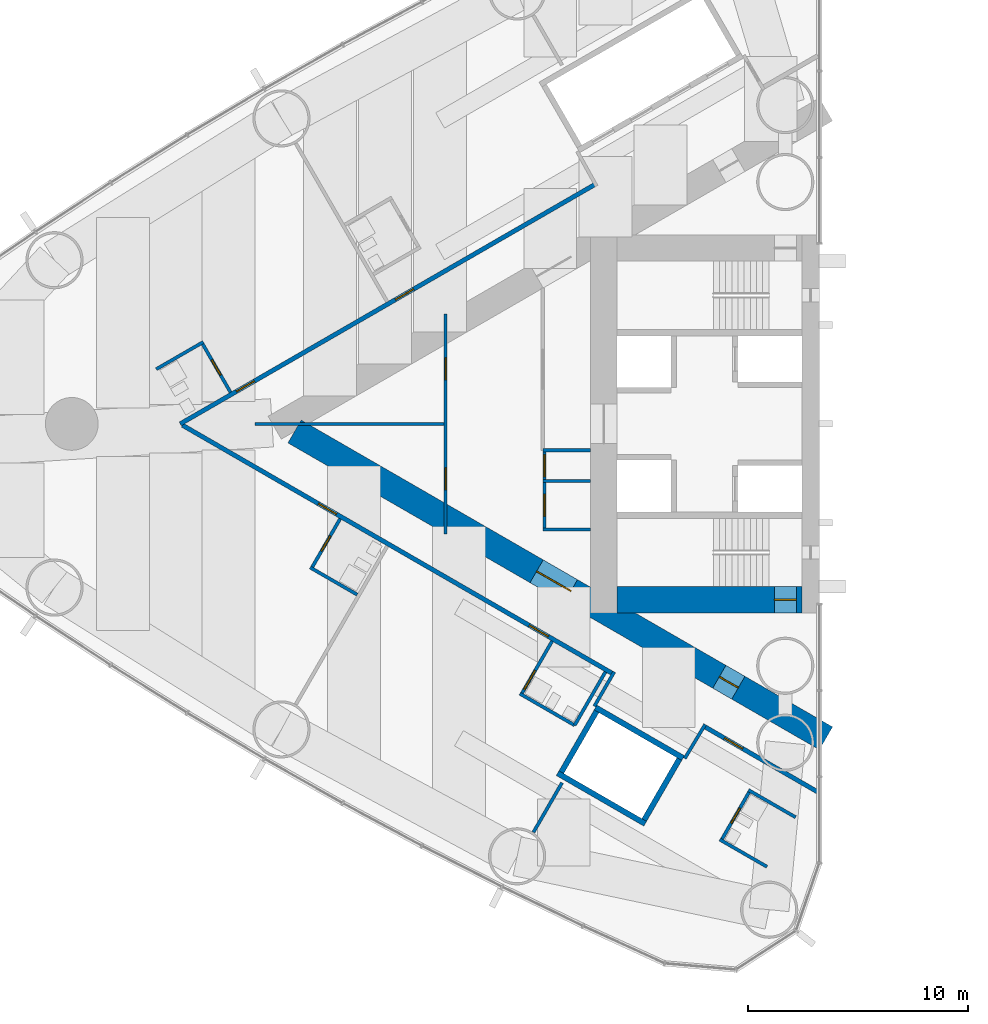
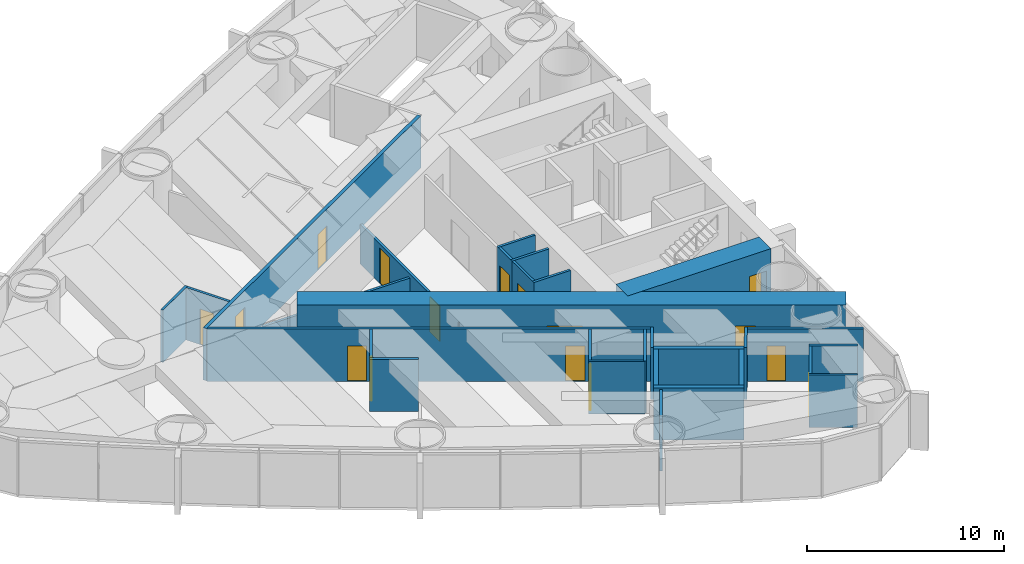
# One storey, part 11 of 18: 29 walls, 16 doors, 16 openings.
"""IFC4 building model written with IfcOpenShell, lengths in metres."""

from ifc_helpers import new_model, si_unit, direction, frame, frame_2d, origin, place, context, subcontext, project, spatial, rectangle, extrude, material, layer, layer_set, type_object, element, fill, save


model = new_model("IFC4")

# Units and contexts
model_context = context("Model", 3, precision=1e-05, world=origin(), true_north=direction((0.0, 1.0)))
body_context = subcontext(model_context, "Body", "Model", "MODEL_VIEW")
ifc_project = project(units=[si_unit("LENGTHUNIT", "METRE"), si_unit("AREAUNIT", "SQUARE_METRE"), si_unit("VOLUMEUNIT", "CUBIC_METRE"), si_unit("PLANEANGLEUNIT", "RADIAN"), si_unit("MASSUNIT", "GRAM", prefix="KILO")], contexts=[model_context])

# Site, building, storey
site_placement = place(None, origin())
site = spatial("IfcSite", under=ifc_project, at=site_placement, CompositionType="ELEMENT")
building_placement = place(site_placement, origin())
building = spatial("IfcBuilding", under=site, at=building_placement, Name="Lancet Gate Hotel", CompositionType="ELEMENT")
storey_placement = place(building_placement, frame((0.0, 0.0, 94.10009765625)))
storey = spatial("IfcBuildingStorey", under=building, at=storey_placement, Name="L24", CompositionType="ELEMENT", Elevation=94.10009765625)

# Wall
ifc_material_1 = material(Name="Moisture resistant board partition")
ifc_layer_1 = layer(ifc_material_1, 0.14990234375)
ifc_layer_set_1 = layer_set([ifc_layer_1], Name="Bathroom wall 150")
wall_type_1 = type_object("IfcWallType", Name="Bathroom wall 150", PredefinedType="PARTITIONING", material=ifc_layer_set_1)
wall_1_placement = place(storey_placement, frame((-55.51513671875, 3.725830078125, 0.0), z_axis=(0.0, 0.0, 1.0), x_axis=(-0.866006523861, -0.500032699561, 0.0)))
element("IfcWall", 1, at=wall_1_placement, inside=storey, type_object=wall_type_1, Name="T1 bathroom wall 150 L24", PredefinedType="PARTITIONING", context=body_context, shape_type="SweptSolid", body=[
    extrude(rectangle(XDim=2.474853515625, YDim=0.14990234375, at=frame_2d((1.2373046875, 0.0))), origin(), (0.0, 0.0, 1.0), 3.25),
])

# Wall, opening, door
wall_2_placement = place(storey_placement, frame((-54.280029296875, 1.4365234375, 0.0), z_axis=(0.0, 0.0, 1.0), x_axis=(-0.500006934395, 0.866021400173, 0.0)))
wall_2 = element("IfcWall", 2, at=wall_2_placement, inside=storey, type_object=wall_type_1, Name="T1 bathroom wall 150 L24", PredefinedType="PARTITIONING", context=body_context, shape_type="SweptSolid", body=[
    extrude(rectangle(XDim=2.60009765625, YDim=0.14990234375, at=frame_2d((1.300048828125, 0.0))), origin(), (0.0, 0.0, 1.0), 3.25),
])
opening_1_placement = place(wall_2_placement, frame((0.89990234375, 0.0, 0.0)))
opening_1 = element("IfcOpeningElement", 3, at=opening_1_placement, cuts=wall_2, Name="Opening 2403-B", PredefinedType="OPENING", context=body_context, shape_type="SweptSolid", body=[
    extrude(rectangle(XDim=0.800048828125, YDim=2.199951171875, at=frame_2d((0.39990234375, 1.10009765625))), frame((0.0, 0.0849609375, 0.0), z_axis=(0.0, -1.0, 0.0), x_axis=(1.0, 0.0, 0.0)), (0.0, 0.0, 1.0), 0.169921875),
])
ifc_material_2 = material(Name="Timber door set", Category="wood")
door_type_1 = type_object("IfcDoorType", Name="Bathroom door 800", OperationType="SINGLE_SWING_RIGHT", PredefinedType="DOOR", material=ifc_material_2)
door_1_placement = place(opening_1_placement, origin())
door_1 = element("IfcDoor", 4, at=door_1_placement, inside=storey, type_object=door_type_1, Name="2403-B", OperationType="SINGLE_SWING_RIGHT", OverallHeight=2.199951171875, OverallWidth=0.800048828125, PredefinedType="DOOR", context=body_context, shape_type="SweptSolid", body=[
    extrude(rectangle(XDim=0.800048828125, YDim=2.199951171875, at=frame_2d((0.39990234375, 1.10009765625))), frame((0.0, 0.02490234375, 0.0), z_axis=(0.0, -1.0, 0.0), x_axis=(1.0, 0.0, 0.0)), (0.0, 0.0, 1.0), 0.050048828125),
])
fill(opening_1, door_1)

# Wall
wall_3_placement = place(storey_placement, frame((-48.51611328125, -7.7666015625, 0.0), z_axis=(0.0, 0.0, 1.0), x_axis=(-0.866031185235, 0.4999899861, 0.0)))
element("IfcWall", 5, at=wall_3_placement, inside=storey, type_object=wall_type_1, Name="T1 bathroom wall 150 L24", PredefinedType="PARTITIONING", context=body_context, shape_type="SweptSolid", body=[
    extrude(rectangle(XDim=2.47509765625, YDim=0.14990234375, at=frame_2d((1.237548828125, 0.0))), origin(), (0.0, 0.0, 1.0), 3.25),
])

# Wall, opening, door
wall_4_placement = place(storey_placement, frame((-49.294677734375, -4.31494140625, 0.0), z_axis=(0.0, 0.0, 1.0), x_axis=(-0.499936506574, -0.866062058628, 0.0)))
wall_4 = element("IfcWall", 6, at=wall_4_placement, inside=storey, type_object=wall_type_1, Name="T1 bathroom wall 150 L24", PredefinedType="PARTITIONING", context=body_context, shape_type="SweptSolid", body=[
    extrude(rectangle(XDim=2.599853515625, YDim=0.14990234375, at=frame_2d((1.2998046875, 0.0))), origin(), (0.0, 0.0, 1.0), 3.25),
])
opening_2_placement = place(wall_4_placement, frame((0.89990234375, 0.0, 0.0)))
opening_2 = element("IfcOpeningElement", 7, at=opening_2_placement, cuts=wall_4, Name="Opening 2405-B", PredefinedType="OPENING", context=body_context, shape_type="SweptSolid", body=[
    extrude(rectangle(XDim=0.800048828125, YDim=2.199951171875, at=frame_2d((0.39990234375, 1.10009765625))), frame((0.0, 0.0849609375, 0.0), z_axis=(0.0, -1.0, 0.0), x_axis=(1.0, 0.0, 0.0)), (0.0, 0.0, 1.0), 0.169921875),
])
door_2_placement = place(opening_2_placement, origin())
door_2 = element("IfcDoor", 8, at=door_2_placement, inside=storey, type_object=door_type_1, Name="2405-B", OperationType="SINGLE_SWING_RIGHT", OverallHeight=2.199951171875, OverallWidth=0.800048828125, PredefinedType="DOOR", context=body_context, shape_type="SweptSolid", body=[
    extrude(rectangle(XDim=0.800048828125, YDim=2.199951171875, at=frame_2d((0.39990234375, 1.10009765625))), frame((0.0, 0.02490234375, 0.0), z_axis=(0.0, -1.0, 0.0), x_axis=(1.0, 0.0, 0.0)), (0.0, 0.0, 1.0), 0.050048828125),
])
fill(opening_2, door_2)

# Wall
wall_5_placement = place(storey_placement, frame((-38.630126953125, -13.705322265625, 0.0), z_axis=(0.0, 0.0, 1.0), x_axis=(-0.866018712932, 0.500011588718, 0.0)))
element("IfcWall", 9, at=wall_5_placement, inside=storey, type_object=wall_type_1, Name="T1 bathroom wall 150 L24", PredefinedType="PARTITIONING", context=body_context, shape_type="SweptSolid", body=[
    extrude(rectangle(XDim=2.875, YDim=0.14990234375, at=frame_2d((1.4375, 0.0))), origin(), (0.0, 0.0, 1.0), 3.25),
])

# Wall, opening, door
wall_6_placement = place(storey_placement, frame((-39.65478515625, -9.88037109375, 0.0), z_axis=(0.0, 0.0, 1.0), x_axis=(-0.500049511043, -0.865996816683, 0.0)))
wall_6 = element("IfcWall", 10, at=wall_6_placement, inside=storey, type_object=wall_type_1, Name="T1 bathroom wall 150 L24", PredefinedType="PARTITIONING", context=body_context, shape_type="SweptSolid", body=[
    extrude(rectangle(XDim=2.800048828125, YDim=0.14990234375, at=frame_2d((1.39990234375, 0.0))), origin(), (0.0, 0.0, 1.0), 3.25),
])
opening_3_placement = place(wall_6_placement, frame((1.550048828125, 0.0, 0.0)))
opening_3 = element("IfcOpeningElement", 11, at=opening_3_placement, cuts=wall_6, Name="Opening 2407-B", PredefinedType="OPENING", context=body_context, shape_type="SweptSolid", body=[
    extrude(rectangle(XDim=1.0, YDim=2.199951171875, at=frame_2d((0.5, 1.10009765625))), frame((0.0, 0.0849609375, 0.0), z_axis=(0.0, -1.0, 0.0), x_axis=(1.0, 0.0, 0.0)), (0.0, 0.0, 1.0), 0.169921875),
])
ifc_material_3 = material(Name="Timber door set", Category="wood")
door_type_2 = type_object("IfcDoorType", Name="Accessible en-suite door 1000", OperationType="SINGLE_SWING_RIGHT", PredefinedType="DOOR", material=ifc_material_3)
door_3_placement = place(opening_3_placement, origin())
door_3 = element("IfcDoor", 12, at=door_3_placement, inside=storey, type_object=door_type_2, Name="2407-B", OperationType="SINGLE_SWING_RIGHT", OverallHeight=2.199951171875, OverallWidth=1.0, PredefinedType="DOOR", context=body_context, shape_type="SweptSolid", body=[
    extrude(rectangle(XDim=1.0, YDim=2.199951171875, at=frame_2d((0.5, 1.10009765625))), frame((0.0, 0.02490234375, 0.0), z_axis=(0.0, -1.0, 0.0), x_axis=(1.0, 0.0, 0.0)), (0.0, 0.0, 1.0), 0.050048828125),
])
fill(opening_3, door_3)

# Walls
wall_7_placement = place(storey_placement, frame((-37.22998046875, -11.280517578125, 0.0), z_axis=(0.0, 0.0, 1.0), x_axis=(-0.500049511043, -0.865996816683, 0.0)))
element("IfcWall", 13, at=wall_7_placement, inside=storey, type_object=wall_type_1, Name="T1 bathroom wall 150 L24", PredefinedType="PARTITIONING", context=body_context, shape_type="SweptSolid", body=[
    extrude(rectangle(XDim=2.800048828125, YDim=0.14990234375, at=frame_2d((1.39990234375, 0.0))), origin(), (0.0, 0.0, 1.0), 3.25),
])
wall_8_placement = place(storey_placement, frame((-29.8818359375, -20.1416015625, 0.0), z_axis=(0.0, 0.0, 1.0), x_axis=(-0.866031185235, 0.4999899861, 0.0)))
element("IfcWall", 14, at=wall_8_placement, inside=storey, type_object=wall_type_1, Name="T1 bathroom wall 150 L24", PredefinedType="PARTITIONING", context=body_context, shape_type="SweptSolid", body=[
    extrude(rectangle(XDim=2.47509765625, YDim=0.14990234375, at=frame_2d((1.237548828125, 0.0))), origin(), (0.0, 0.0, 1.0), 3.25),
])

# Wall, opening, door
wall_9_placement = place(storey_placement, frame((-30.660400390625, -16.68994140625, 0.0), z_axis=(0.0, 0.0, 1.0), x_axis=(-0.499936506574, -0.866062058628, 0.0)))
wall_9 = element("IfcWall", 15, at=wall_9_placement, inside=storey, type_object=wall_type_1, Name="T1 bathroom wall 150 L24", PredefinedType="PARTITIONING", context=body_context, shape_type="SweptSolid", body=[
    extrude(rectangle(XDim=2.599853515625, YDim=0.14990234375, at=frame_2d((1.2998046875, 0.0))), origin(), (0.0, 0.0, 1.0), 3.25),
])
opening_4_placement = place(wall_9_placement, frame((0.89990234375, 0.0, 0.0)))
opening_4 = element("IfcOpeningElement", 16, at=opening_4_placement, cuts=wall_9, Name="Opening 2408-B", PredefinedType="OPENING", context=body_context, shape_type="SweptSolid", body=[
    extrude(rectangle(XDim=0.800048828125, YDim=2.199951171875, at=frame_2d((0.39990234375, 1.10009765625))), frame((0.0, 0.0849609375, 0.0), z_axis=(0.0, -1.0, 0.0), x_axis=(1.0, 0.0, 0.0)), (0.0, 0.0, 1.0), 0.169921875),
])
door_4_placement = place(opening_4_placement, origin())
door_4 = element("IfcDoor", 17, at=door_4_placement, inside=storey, type_object=door_type_1, Name="2408-B", OperationType="SINGLE_SWING_RIGHT", OverallHeight=2.199951171875, OverallWidth=0.800048828125, PredefinedType="DOOR", context=body_context, shape_type="SweptSolid", body=[
    extrude(rectangle(XDim=0.800048828125, YDim=2.199951171875, at=frame_2d((0.39990234375, 1.10009765625))), frame((0.0, 0.02490234375, 0.0), z_axis=(0.0, -1.0, 0.0), x_axis=(1.0, 0.0, 0.0)), (0.0, 0.0, 1.0), 0.050048828125),
])
fill(opening_4, door_4)

# Wall
wall_10_placement = place(storey_placement, frame((-28.581787109375, -17.889892578125, 0.0), z_axis=(0.0, 0.0, 1.0), x_axis=(-0.866073894602, 0.499916002032, 0.0)))
element("IfcWall", 18, at=wall_10_placement, inside=storey, type_object=wall_type_1, Name="T1 bathroom wall 150 L24", PredefinedType="PARTITIONING", context=body_context, shape_type="SweptSolid", body=[
    extrude(rectangle(XDim=2.47509765625, YDim=0.14990234375, at=frame_2d((1.237548828125, 0.0))), origin(), (0.0, 0.0, 1.0), 3.25),
])

# Wall, openings, doors
ifc_material_4 = material(Name="Concrete C70/85", Category="concrete")
ifc_layer_2 = layer(ifc_material_4, 1.199951171875)
ifc_layer_set_2 = layer_set([ifc_layer_2], Name="Buttress wall 1200")
wall_type_2 = type_object("IfcWallType", Name="Buttress wall 1200", PredefinedType="SHEAR", material=ifc_layer_set_2)
wall_11_placement = place(storey_placement, frame((-27.199951171875, -14.300048828125, 0.0), z_axis=(0.0, 0.0, 1.0), x_axis=(-0.866024021859, 0.500002393557, 0.0)))
wall_11 = element("IfcWall", 19, at=wall_11_placement, inside=storey, type_object=wall_type_2, Name="T1 buttress wall N L24", PredefinedType="SHEAR", context=body_context, shape_type="SweptSolid", body=[
    extrude(rectangle(XDim=27.906982421875, YDim=1.199951171875, at=frame_2d((13.95361328125, 0.0))), origin(), (0.0, 0.0, 1.0), 3.5),
])
opening_5_placement = place(wall_11_placement, frame((4.60009765625, 0.0, 0.0)))
opening_5 = element("IfcOpeningElement", 20, at=opening_5_placement, cuts=wall_11, Name="Opening T1-L24-LN", PredefinedType="OPENING", context=body_context, shape_type="SweptSolid", body=[
    extrude(rectangle(XDim=1.0, YDim=2.199951171875, at=frame_2d((0.5, 1.10009765625))), frame((0.0, 0.60986328125, 0.0), z_axis=(0.0, -1.0, 0.0), x_axis=(1.0, 0.0, 0.0)), (0.0, 0.0, 1.0), 1.219970703125),
])
opening_6_placement = place(wall_11_placement, frame((13.39453125, 0.0, 0.0)))
opening_6 = element("IfcOpeningElement", 21, at=opening_6_placement, cuts=wall_11, Name="Opening T1-L24-LHN", PredefinedType="OPENING", context=body_context, shape_type="SweptSolid", body=[
    extrude(rectangle(XDim=1.800048828125, YDim=2.199951171875, at=frame_2d((0.89990234375, 1.10009765625))), frame((0.0, 0.60986328125, 0.0), z_axis=(0.0, -1.0, 0.0), x_axis=(1.0, 0.0, 0.0)), (0.0, 0.0, 1.0), 1.219970703125),
])
ifc_material_5 = material(Name="Timber door set", Category="wood")
door_type_3 = type_object("IfcDoorType", Name="Lobby double door 1800", OperationType="DOUBLE_DOOR_SINGLE_SWING", PredefinedType="DOOR", material=ifc_material_5)
door_5_placement = place(opening_6_placement, origin())
door_5 = element("IfcDoor", 22, at=door_5_placement, inside=storey, type_object=door_type_3, Name="T1-L24-LHN", OperationType="DOUBLE_DOOR_SINGLE_SWING", OverallHeight=2.199951171875, OverallWidth=1.800048828125, PredefinedType="DOOR", context=body_context, shape_type="SweptSolid", body=[
    extrude(rectangle(XDim=1.800048828125, YDim=2.199951171875, at=frame_2d((0.89990234375, 1.10009765625))), frame((0.0, 0.02490234375, 0.0), z_axis=(0.0, -1.0, 0.0), x_axis=(1.0, 0.0, 0.0)), (0.0, 0.0, 1.0), 0.050048828125),
])
fill(opening_6, door_5)
ifc_material_6 = material(Name="Timber door set", Category="wood")
door_type_4 = type_object("IfcDoorType", Name="Stair lobby door 1000", OperationType="SINGLE_SWING_LEFT", PredefinedType="DOOR", material=ifc_material_6)
door_6_placement = place(opening_5_placement, origin())
door_6 = element("IfcDoor", 23, at=door_6_placement, inside=storey, type_object=door_type_4, Name="T1-L24-LN", OperationType="SINGLE_SWING_LEFT", OverallHeight=2.199951171875, OverallWidth=1.0, PredefinedType="DOOR", context=body_context, shape_type="SweptSolid", body=[
    extrude(rectangle(XDim=1.0, YDim=2.199951171875, at=frame_2d((0.5, 1.10009765625))), frame((0.0, 0.02490234375, 0.0), z_axis=(0.0, -1.0, 0.0), x_axis=(1.0, 0.0, 0.0)), (0.0, 0.0, 1.0), 0.050048828125),
])
fill(opening_5, door_6)

# Wall, opening, door
ifc_material_7 = material(Name="Concrete C70/85", Category="concrete")
ifc_layer_3 = layer(ifc_material_7, 1.199951171875)
ifc_layer_set_3 = layer_set([ifc_layer_3], Name="Core wall 1200")
wall_type_3 = type_object("IfcWallType", Name="Core wall 1200", PredefinedType="SHEAR", material=ifc_layer_set_3)
wall_12_placement = place(storey_placement, frame((-28.300048828125, -8.0, 0.0), z_axis=(0.0, 0.0, 1.0), x_axis=(-1.0, 0.0, 0.0)))
wall_12 = element("IfcWall", 24, at=wall_12_placement, inside=storey, type_object=wall_type_3, Name="T1 core wall side-N L24", PredefinedType="SHEAR", context=body_context, shape_type="SweptSolid", body=[
    extrude(rectangle(XDim=8.39990234375, YDim=1.199951171875, at=frame_2d((4.199951171875, 0.0))), origin(), (0.0, 0.0, 1.0), 3.5),
])
opening_7_placement = place(wall_12_placement, frame((0.25, 0.0, 0.0)))
opening_7 = element("IfcOpeningElement", 25, at=opening_7_placement, cuts=wall_12, Name="Opening T1-L24-ST2", PredefinedType="OPENING", context=body_context, shape_type="SweptSolid", body=[
    extrude(rectangle(XDim=1.0, YDim=2.199951171875, at=frame_2d((0.5, 1.10009765625))), frame((0.0, 0.60986328125, 0.0), z_axis=(0.0, -1.0, 0.0), x_axis=(1.0, 0.0, 0.0)), (0.0, 0.0, 1.0), 1.219970703125),
])
ifc_material_8 = material(Name="Timber door set", Category="wood")
door_type_5 = type_object("IfcDoorType", Name="Stair door 1000", OperationType="SINGLE_SWING_RIGHT", PredefinedType="DOOR", material=ifc_material_8)
door_7_placement = place(opening_7_placement, origin())
door_7 = element("IfcDoor", 26, at=door_7_placement, inside=storey, type_object=door_type_5, Name="T1-L24-ST2", OperationType="SINGLE_SWING_RIGHT", OverallHeight=2.199951171875, OverallWidth=1.0, PredefinedType="DOOR", context=body_context, shape_type="SweptSolid", body=[
    extrude(rectangle(XDim=1.0, YDim=2.199951171875, at=frame_2d((0.5, 1.10009765625))), frame((0.0, 0.02490234375, 0.0), z_axis=(0.0, -1.0, 0.0), x_axis=(1.0, 0.0, 0.0)), (0.0, 0.0, 1.0), 0.050048828125),
])
fill(opening_7, door_7)

# Wall, openings, doors
ifc_material_9 = material(Name="Gypsum board partition")
ifc_layer_4 = layer(ifc_material_9, 0.199951171875)
ifc_layer_set_4 = layer_set([ifc_layer_4], Name="Corridor wall 200")
wall_type_4 = type_object("IfcWallType", Name="Corridor wall 200", PredefinedType="PARTITIONING", material=ifc_layer_set_4)
wall_13_placement = place(storey_placement, frame((-37.699951171875, 10.8935546875, 0.0), z_axis=(0.0, 0.0, 1.0), x_axis=(-0.866027905338, -0.499995667157, 0.0)))
wall_13 = element("IfcWall", 27, at=wall_13_placement, inside=storey, type_object=wall_type_4, Name="T1 corridor wall 200 L24", PredefinedType="PARTITIONING", context=body_context, shape_type="SweptSolid", body=[
    extrude(rectangle(XDim=21.787353515625, YDim=0.199951171875, at=frame_2d((10.8935546875, 0.0))), origin(), (0.0, 0.0, 1.0), 3.25),
])
opening_8_placement = place(wall_13_placement, frame((17.88720703125, 0.0, 0.0)))
opening_8 = element("IfcOpeningElement", 28, at=opening_8_placement, cuts=wall_13, Name="Opening 2403-E", PredefinedType="OPENING", context=body_context, shape_type="SweptSolid", body=[
    extrude(rectangle(XDim=0.949951171875, YDim=2.199951171875, at=frame_2d((0.47509765625, 1.10009765625))), frame((0.0, 0.10986328125, 0.0), z_axis=(0.0, -1.0, 0.0), x_axis=(1.0, 0.0, 0.0)), (0.0, 0.0, 1.0), 0.219970703125),
])
opening_9_placement = place(wall_13_placement, frame((9.530517578125, 0.0, 0.0)))
opening_9 = element("IfcOpeningElement", 29, at=opening_9_placement, cuts=wall_13, Name="Opening 2402-E", PredefinedType="OPENING", context=body_context, shape_type="SweptSolid", body=[
    extrude(rectangle(XDim=0.949951171875, YDim=2.199951171875, at=frame_2d((0.47509765625, 1.10009765625))), frame((0.0, 0.10986328125, 0.0), z_axis=(0.0, -1.0, 0.0), x_axis=(1.0, 0.0, 0.0)), (0.0, 0.0, 1.0), 0.219970703125),
])
ifc_material_10 = material(Name="Timber door set", Category="wood")
door_type_6 = type_object("IfcDoorType", Name="Guest room entry door 950", OperationType="SINGLE_SWING_LEFT", PredefinedType="DOOR", material=ifc_material_10)
door_8_placement = place(opening_8_placement, origin())
door_8 = element("IfcDoor", 30, at=door_8_placement, inside=storey, type_object=door_type_6, Name="2403-E", OperationType="SINGLE_SWING_LEFT", OverallHeight=2.199951171875, OverallWidth=0.949951171875, PredefinedType="DOOR", context=body_context, shape_type="SweptSolid", body=[
    extrude(rectangle(XDim=0.949951171875, YDim=2.199951171875, at=frame_2d((0.47509765625, 1.10009765625))), frame((0.0, 0.02490234375, 0.0), z_axis=(0.0, -1.0, 0.0), x_axis=(1.0, 0.0, 0.0)), (0.0, 0.0, 1.0), 0.050048828125),
])
fill(opening_8, door_8)
door_9_placement = place(opening_9_placement, origin())
door_9 = element("IfcDoor", 31, at=door_9_placement, inside=storey, type_object=door_type_6, Name="2402-E", OperationType="SINGLE_SWING_LEFT", OverallHeight=2.199951171875, OverallWidth=0.949951171875, PredefinedType="DOOR", context=body_context, shape_type="SweptSolid", body=[
    extrude(rectangle(XDim=0.949951171875, YDim=2.199951171875, at=frame_2d((0.47509765625, 1.10009765625))), frame((0.0, 0.02490234375, 0.0), z_axis=(0.0, -1.0, 0.0), x_axis=(1.0, 0.0, 0.0)), (0.0, 0.0, 1.0), 0.050048828125),
])
fill(opening_9, door_9)

# Wall, opening, door
wall_14_placement = place(storey_placement, frame((-27.572021484375, -16.740966796875, 0.0), z_axis=(0.0, 0.0, 1.0), x_axis=(-0.866024464444, 0.500001626982, 0.0)))
wall_14 = element("IfcWall", 32, at=wall_14_placement, inside=storey, type_object=wall_type_4, Name="T1 corridor wall 200 L24", PredefinedType="PARTITIONING", context=body_context, shape_type="SweptSolid", body=[
    extrude(rectangle(XDim=5.955078125, YDim=0.199951171875, at=frame_2d((2.9775390625, 0.0))), origin(), (0.0, 0.0, 1.0), 3.25),
])
opening_10_placement = place(wall_14_placement, frame((3.949951171875, 0.0, 0.0)))
opening_10 = element("IfcOpeningElement", 33, at=opening_10_placement, cuts=wall_14, Name="Opening 2408-E", PredefinedType="OPENING", context=body_context, shape_type="SweptSolid", body=[
    extrude(rectangle(XDim=0.949951171875, YDim=2.199951171875, at=frame_2d((0.47509765625, 1.10009765625))), frame((0.0, 0.10986328125, 0.0), z_axis=(0.0, -1.0, 0.0), x_axis=(1.0, 0.0, 0.0)), (0.0, 0.0, 1.0), 0.219970703125),
])
door_10_placement = place(opening_10_placement, origin())
door_10 = element("IfcDoor", 34, at=door_10_placement, inside=storey, type_object=door_type_6, Name="2408-E", OperationType="SINGLE_SWING_LEFT", OverallHeight=2.199951171875, OverallWidth=0.949951171875, PredefinedType="DOOR", context=body_context, shape_type="SweptSolid", body=[
    extrude(rectangle(XDim=0.949951171875, YDim=2.199951171875, at=frame_2d((0.47509765625, 1.10009765625))), frame((0.0, 0.02490234375, 0.0), z_axis=(0.0, -1.0, 0.0), x_axis=(1.0, 0.0, 0.0)), (0.0, 0.0, 1.0), 0.050048828125),
])
fill(opening_10, door_10)

# Wall, openings, doors
wall_15_placement = place(storey_placement, frame((-36.920166015625, -11.34375, 0.0), z_axis=(0.0, 0.0, 1.0), x_axis=(-0.866028313256, 0.499994960614, 0.0)))
wall_15 = element("IfcWall", 35, at=wall_15_placement, inside=storey, type_object=wall_type_4, Name="T1 corridor wall 200 L24", PredefinedType="PARTITIONING", context=body_context, shape_type="SweptSolid", body=[
    extrude(rectangle(XDim=22.567626953125, YDim=0.199951171875, at=frame_2d((11.28369140625, 0.0))), origin(), (0.0, 0.0, 1.0), 3.25),
])
opening_11_placement = place(wall_15_placement, frame((14.48095703125, 0.0, 0.0)))
opening_11 = element("IfcOpeningElement", 36, at=opening_11_placement, cuts=wall_15, Name="Opening 2405-E", PredefinedType="OPENING", context=body_context, shape_type="SweptSolid", body=[
    extrude(rectangle(XDim=0.949951171875, YDim=2.199951171875, at=frame_2d((0.47509765625, 1.10009765625))), frame((0.0, 0.10986328125, 0.0), z_axis=(0.0, -1.0, 0.0), x_axis=(1.0, 0.0, 0.0)), (0.0, 0.0, 1.0), 0.219970703125),
])
opening_12_placement = place(wall_15_placement, frame((3.35009765625, 0.0, 0.0)))
opening_12 = element("IfcOpeningElement", 37, at=opening_12_placement, cuts=wall_15, Name="Opening 2407-E", PredefinedType="OPENING", context=body_context, shape_type="SweptSolid", body=[
    extrude(rectangle(XDim=1.0, YDim=2.199951171875, at=frame_2d((0.5, 1.10009765625))), frame((0.0, 0.10986328125, 0.0), z_axis=(0.0, -1.0, 0.0), x_axis=(1.0, 0.0, 0.0)), (0.0, 0.0, 1.0), 0.219970703125),
])
ifc_material_11 = material(Name="Timber door set", Category="wood")
door_type_7 = type_object("IfcDoorType", Name="Accessible guest room door 1000", OperationType="SINGLE_SWING_LEFT", PredefinedType="DOOR", material=ifc_material_11)
door_11_placement = place(opening_12_placement, origin())
door_11 = element("IfcDoor", 38, at=door_11_placement, inside=storey, type_object=door_type_7, Name="2407-E", OperationType="SINGLE_SWING_LEFT", OverallHeight=2.199951171875, OverallWidth=1.0, PredefinedType="DOOR", context=body_context, shape_type="SweptSolid", body=[
    extrude(rectangle(XDim=1.0, YDim=2.199951171875, at=frame_2d((0.5, 1.10009765625))), frame((0.0, 0.02490234375, 0.0), z_axis=(0.0, -1.0, 0.0), x_axis=(1.0, 0.0, 0.0)), (0.0, 0.0, 1.0), 0.050048828125),
])
fill(opening_12, door_11)
door_12_placement = place(opening_11_placement, origin())
door_12 = element("IfcDoor", 39, at=door_12_placement, inside=storey, type_object=door_type_6, Name="2405-E", OperationType="SINGLE_SWING_LEFT", OverallHeight=2.199951171875, OverallWidth=0.949951171875, PredefinedType="DOOR", context=body_context, shape_type="SweptSolid", body=[
    extrude(rectangle(XDim=0.949951171875, YDim=2.199951171875, at=frame_2d((0.47509765625, 1.10009765625))), frame((0.0, 0.02490234375, 0.0), z_axis=(0.0, -1.0, 0.0), x_axis=(1.0, 0.0, 0.0)), (0.0, 0.0, 1.0), 0.050048828125),
])
fill(opening_11, door_12)

# Walls
ifc_material_12 = material(Name="Gypsum board partition")
ifc_layer_5 = layer(ifc_material_12, 0.25)
ifc_layer_set_5 = layer_set([ifc_layer_5], Name="Lift shaft partition 250")
wall_type_5 = type_object("IfcWallType", Name="Lift shaft partition 250", PredefinedType="PARTITIONING", material=ifc_layer_set_5)
wall_16_placement = place(storey_placement, frame((-33.695556640625, -15.197265625, 0.0), z_axis=(0.0, 0.0, 1.0), x_axis=(-0.865976953817, 0.500083908417, 0.0)))
element("IfcWall", 40, at=wall_16_placement, inside=storey, type_object=wall_type_5, Name="T1 lift shaft wall EX L24", PredefinedType="PARTITIONING", context=body_context, shape_type="SweptSolid", body=[
    extrude(rectangle(XDim=4.599365234375, YDim=0.25, at=frame_2d((2.2998046875, 0.0))), origin(), (0.0, 0.0, 1.0), 3.25),
])
wall_17_placement = place(storey_placement, frame((-35.42041015625, -18.185791015625, 0.0), z_axis=(0.0, 0.0, 1.0), x_axis=(-0.865990227814, 0.50006092162, 0.0)))
element("IfcWall", 41, at=wall_17_placement, inside=storey, type_object=wall_type_5, Name="T1 lift shaft wall EX L24", PredefinedType="PARTITIONING", context=body_context, shape_type="SweptSolid", body=[
    extrude(rectangle(XDim=4.599609375, YDim=0.25, at=frame_2d((2.2998046875, 0.0))), origin(), (0.0, 0.0, 1.0), 3.25),
])
wall_18_placement = place(storey_placement, frame((-33.8662109375, -15.242919921875, 0.0), z_axis=(0.0, 0.0, 1.0), x_axis=(-0.499929347863, -0.866066190972, 0.0)))
element("IfcWall", 42, at=wall_18_placement, inside=storey, type_object=wall_type_5, Name="T1 lift shaft wall EX L24", PredefinedType="PARTITIONING", context=body_context, shape_type="SweptSolid", body=[
    extrude(rectangle(XDim=3.20068359375, YDim=0.25, at=frame_2d((1.600341796875, 0.0))), origin(), (0.0, 0.0, 1.0), 3.25),
])
wall_19_placement = place(storey_placement, frame((-37.6328125, -13.068115234375, 0.0), z_axis=(0.0, 0.0, 1.0), x_axis=(-0.499872130319, -0.866099216793, 0.0)))
element("IfcWall", 43, at=wall_19_placement, inside=storey, type_object=wall_type_5, Name="T1 lift shaft wall EX L24", PredefinedType="PARTITIONING", context=body_context, shape_type="SweptSolid", body=[
    extrude(rectangle(XDim=3.200439453125, YDim=0.25, at=frame_2d((1.60009765625, 0.0))), origin(), (0.0, 0.0, 1.0), 3.25),
])
ifc_material_13 = material(Name="Gypsum board partition")
ifc_layer_6 = layer(ifc_material_13, 0.14990234375)
ifc_layer_set_6 = layer_set([ifc_layer_6], Name="Party wall 150")
wall_type_6 = type_object("IfcWallType", Name="Party wall 150", PredefinedType="PARTITIONING", material=ifc_layer_set_6)
wall_20_placement = place(storey_placement, frame((-39.2021484375, -16.319580078125, 0.0), z_axis=(0.0, 0.0, 1.0), x_axis=(-0.49997716683, -0.86603858612, 0.0)))
element("IfcWall", 44, at=wall_20_placement, inside=storey, type_object=wall_type_6, Name="T1 party wall 150 L24", PredefinedType="PARTITIONING", context=body_context, shape_type="SweptSolid", body=[
    extrude(rectangle(XDim=2.599609375, YDim=0.14990234375, at=frame_2d((1.2998046875, 0.0))), origin(), (0.0, 0.0, 1.0), 3.25),
])
ifc_material_14 = material(Name="Gypsum board partition")
ifc_layer_7 = layer(ifc_material_14, 0.14990234375)
ifc_layer_set_7 = layer_set([ifc_layer_7], Name="Service room wall 150")
wall_type_7 = type_object("IfcWallType", Name="Service room wall 150", PredefinedType="PARTITIONING", material=ifc_layer_set_7)
wall_21_placement = place(storey_placement, frame((-36.831298828125, -11.27978515625, 0.0), z_axis=(0.0, 0.0, 1.0), x_axis=(-0.499937177781, -0.866061671171, 0.0)))
element("IfcWall", 45, at=wall_21_placement, inside=storey, type_object=wall_type_7, Name="T1 service room wall 150 L24", PredefinedType="PARTITIONING", context=body_context, shape_type="SweptSolid", body=[
    extrude(rectangle(XDim=1.804443359375, YDim=0.14990234375, at=frame_2d((0.90234375, 0.0))), origin(), (0.0, 0.0, 1.0), 3.25),
])
wall_22_placement = place(storey_placement, frame((-33.62060546875, -15.217529296875, 0.0), z_axis=(0.0, 0.0, 1.0), x_axis=(0.514336634837, 0.857588377991, 0.0)))
element("IfcWall", 46, at=wall_22_placement, inside=storey, type_object=wall_type_7, Name="T1 service room wall 150 L24", PredefinedType="PARTITIONING", context=body_context, shape_type="SweptSolid", body=[
    extrude(rectangle(XDim=1.80517578125, YDim=0.14990234375, at=frame_2d((0.902587890625, 0.0))), origin(), (0.0, 0.0, 1.0), 3.25),
])
for number, where, z_axis, x_axis, name in (
    (47, (-37.89990234375, -1.199951171875, 0.0), (0.0, 0.0, 1.0), (-1.0, 0.0, 0.0), "T1 service room wall 150 L24"),
    (48, (-37.89990234375, -2.60009765625, 0.0), (0.0, 0.0, 1.0), (-1.0, 0.0, 0.0), "T1 service room wall 150 L24"),
    (49, (-37.89990234375, -4.800048828125, 0.0), (0.0, 0.0, 1.0), (-1.0, 0.0, 0.0), "T1 service room wall 150 L24"),
):
    element("IfcWall", number, at=place(storey_placement, frame(where, z_axis=z_axis, x_axis=x_axis)), inside=storey, type_object=wall_type_7, Name=name, PredefinedType="PARTITIONING", context=body_context, shape_type="SweptSolid", body=[
        extrude(rectangle(XDim=2.175048828125, YDim=0.14990234375, at=frame_2d((1.08740234375, 0.0))), origin(), (0.0, 0.0, 1.0), 3.25),
    ])

# Wall, opening, door
wall_23_placement = place(storey_placement, frame((-40.0, -1.125, 0.0), z_axis=(0.0, 0.0, 1.0), x_axis=(0.0, -1.0, 0.0)))
wall_23 = element("IfcWall", 50, at=wall_23_placement, inside=storey, type_object=wall_type_7, Name="T1 service room wall 150 L24", PredefinedType="PARTITIONING", context=body_context, shape_type="SweptSolid", body=[
    extrude(rectangle(XDim=1.550048828125, YDim=0.14990234375, at=frame_2d((0.77490234375, 0.0))), origin(), (0.0, 0.0, 1.0), 3.25),
])
opening_13_placement = place(wall_23_placement, frame((0.27490234375, 0.0, 0.0)))
opening_13 = element("IfcOpeningElement", 51, at=opening_13_placement, cuts=wall_23, Name="Opening T1-L24-HRN0", PredefinedType="OPENING", context=body_context, shape_type="SweptSolid", body=[
    extrude(rectangle(XDim=1.0, YDim=2.199951171875, at=frame_2d((0.5, 1.10009765625))), frame((0.0, 0.0849609375, 0.0), z_axis=(0.0, -1.0, 0.0), x_axis=(1.0, 0.0, 0.0)), (0.0, 0.0, 1.0), 0.169921875),
])
ifc_material_15 = material(Name="Timber door set", Category="wood")
door_type_8 = type_object("IfcDoorType", Name="Service door 1000", OperationType="SINGLE_SWING_LEFT", PredefinedType="DOOR", material=ifc_material_15)
door_13_placement = place(opening_13_placement, origin())
door_13 = element("IfcDoor", 52, at=door_13_placement, inside=storey, type_object=door_type_8, Name="T1-L24-HRN0", OperationType="SINGLE_SWING_LEFT", OverallHeight=2.199951171875, OverallWidth=1.0, PredefinedType="DOOR", context=body_context, shape_type="SweptSolid", body=[
    extrude(rectangle(XDim=1.0, YDim=2.199951171875, at=frame_2d((0.5, 1.10009765625))), frame((0.0, 0.02490234375, 0.0), z_axis=(0.0, -1.0, 0.0), x_axis=(1.0, 0.0, 0.0)), (0.0, 0.0, 1.0), 0.050048828125),
])
fill(opening_13, door_13)

wall_24_placement = place(storey_placement, frame((-40.0, -2.52490234375, 0.0), z_axis=(0.0, 0.0, 1.0), x_axis=(0.0, -1.0, 0.0)))
wall_24 = element("IfcWall", 53, at=wall_24_placement, inside=storey, type_object=wall_type_7, Name="T1 service room wall 150 L24", PredefinedType="PARTITIONING", context=body_context, shape_type="SweptSolid", body=[
    extrude(rectangle(XDim=2.35009765625, YDim=0.14990234375, at=frame_2d((1.175048828125, 0.0))), origin(), (0.0, 0.0, 1.0), 3.25),
])
opening_14_placement = place(wall_24_placement, frame((0.675048828125, 0.0, 0.0)))
opening_14 = element("IfcOpeningElement", 54, at=opening_14_placement, cuts=wall_24, Name="Opening T1-L24-HRN1", PredefinedType="OPENING", context=body_context, shape_type="SweptSolid", body=[
    extrude(rectangle(XDim=1.0, YDim=2.199951171875, at=frame_2d((0.5, 1.10009765625))), frame((0.0, 0.0849609375, 0.0), z_axis=(0.0, -1.0, 0.0), x_axis=(1.0, 0.0, 0.0)), (0.0, 0.0, 1.0), 0.169921875),
])
door_14_placement = place(opening_14_placement, origin())
door_14 = element("IfcDoor", 55, at=door_14_placement, inside=storey, type_object=door_type_8, Name="T1-L24-HRN1", OperationType="SINGLE_SWING_LEFT", OverallHeight=2.199951171875, OverallWidth=1.0, PredefinedType="DOOR", context=body_context, shape_type="SweptSolid", body=[
    extrude(rectangle(XDim=1.0, YDim=2.199951171875, at=frame_2d((0.5, 1.10009765625))), frame((0.0, 0.02490234375, 0.0), z_axis=(0.0, -1.0, 0.0), x_axis=(1.0, 0.0, 0.0)), (0.0, 0.0, 1.0), 0.050048828125),
])
fill(opening_14, door_14)

# Wall, openings, doors
wall_25_placement = place(storey_placement, frame((-44.5, 5.004638671875, 0.0), z_axis=(0.0, 0.0, 1.0), x_axis=(0.0, -1.0, 0.0)))
wall_25 = element("IfcWall", 56, at=wall_25_placement, inside=storey, type_object=wall_type_7, Name="T1 service room wall 150 L24", PredefinedType="PARTITIONING", context=body_context, shape_type="SweptSolid", body=[
    extrude(rectangle(XDim=10.00927734375, YDim=0.14990234375, at=frame_2d((5.004638671875, 0.0))), origin(), (0.0, 0.0, 1.0), 2.449951171875),
])
opening_15_placement = place(wall_25_placement, frame((2.002197265625, 0.0, 0.0)))
opening_15 = element("IfcOpeningElement", 57, at=opening_15_placement, cuts=wall_25, Name="Opening T1-L24-SV", PredefinedType="OPENING", context=body_context, shape_type="SweptSolid", body=[
    extrude(rectangle(XDim=1.0, YDim=2.199951171875, at=frame_2d((0.5, 1.10009765625))), frame((0.0, 0.0849609375, 0.0), z_axis=(0.0, -1.0, 0.0), x_axis=(1.0, 0.0, 0.0)), (0.0, 0.0, 1.0), 0.169921875),
])
opening_16_placement = place(wall_25_placement, frame((7.0068359375, 0.0, 0.0)))
opening_16 = element("IfcOpeningElement", 58, at=opening_16_placement, cuts=wall_25, Name="Opening T1-L24-SV2", PredefinedType="OPENING", context=body_context, shape_type="SweptSolid", body=[
    extrude(rectangle(XDim=1.0, YDim=2.199951171875, at=frame_2d((0.5, 1.10009765625))), frame((0.0, 0.0849609375, 0.0), z_axis=(0.0, -1.0, 0.0), x_axis=(1.0, 0.0, 0.0)), (0.0, 0.0, 1.0), 0.169921875),
])
door_15_placement = place(opening_15_placement, origin())
door_15 = element("IfcDoor", 59, at=door_15_placement, inside=storey, type_object=door_type_8, Name="T1-L24-SV", OperationType="SINGLE_SWING_LEFT", OverallHeight=2.199951171875, OverallWidth=1.0, PredefinedType="DOOR", context=body_context, shape_type="SweptSolid", body=[
    extrude(rectangle(XDim=1.0, YDim=2.199951171875, at=frame_2d((0.5, 1.10009765625))), frame((0.0, 0.02490234375, 0.0), z_axis=(0.0, -1.0, 0.0), x_axis=(1.0, 0.0, 0.0)), (0.0, 0.0, 1.0), 0.050048828125),
])
fill(opening_15, door_15)
door_16_placement = place(opening_16_placement, origin())
door_16 = element("IfcDoor", 60, at=door_16_placement, inside=storey, type_object=door_type_8, Name="T1-L24-SV2", OperationType="SINGLE_SWING_LEFT", OverallHeight=2.199951171875, OverallWidth=1.0, PredefinedType="DOOR", context=body_context, shape_type="SweptSolid", body=[
    extrude(rectangle(XDim=1.0, YDim=2.199951171875, at=frame_2d((0.5, 1.10009765625))), frame((0.0, 0.02490234375, 0.0), z_axis=(0.0, -1.0, 0.0), x_axis=(1.0, 0.0, 0.0)), (0.0, 0.0, 1.0), 0.050048828125),
])
fill(opening_16, door_16)

# Wall
wall_26_placement = place(storey_placement, frame((-44.574951171875, 0.0, 0.0), z_axis=(0.0, 0.0, 1.0), x_axis=(-1.0, 0.0, 0.0)))
element("IfcWall", 61, at=wall_26_placement, inside=storey, type_object=wall_type_7, Name="T1 service room wall 150 L24", PredefinedType="PARTITIONING", context=body_context, shape_type="SweptSolid", body=[
    extrude(rectangle(XDim=8.59326171875, YDim=0.14990234375, at=frame_2d((4.296630859375, 0.0))), origin(), (0.0, 0.0, 1.0), 2.199951171875),
])

save(model, "model.ifc")
